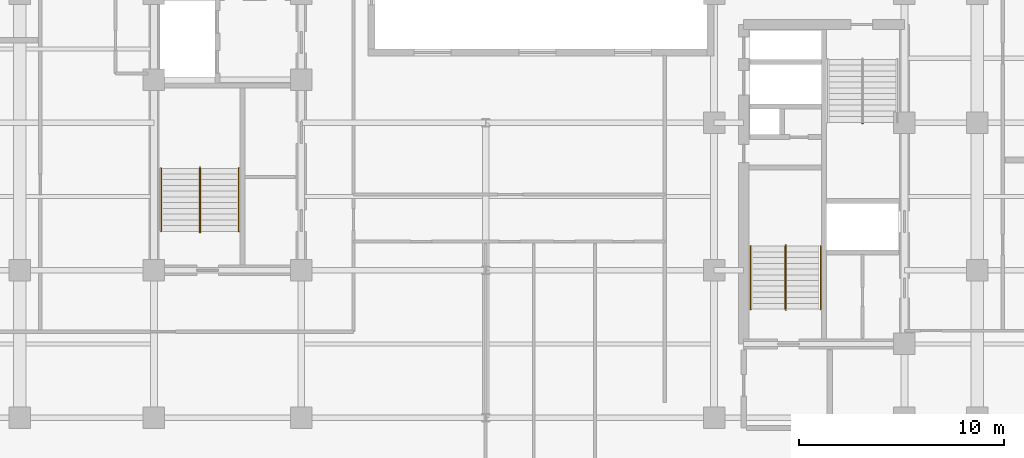
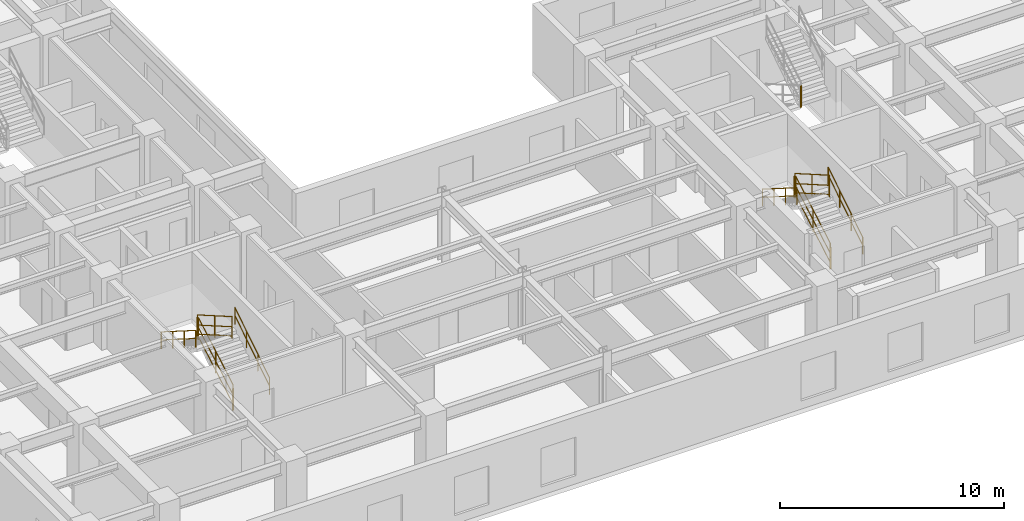
# One storey, part 7 of 9: 13 railings.
"""IFC4 building model written with IfcOpenShell, lengths in metres."""

from ifc_helpers import new_model, entity, si_unit, converted_unit, direction, frame, origin_with_axes, origin_2d_with_axis, place, context, subcontext, project, spatial, rectangle, circle, extrude, material, type_object, element, save


model = new_model("IFC4")

# Units and contexts
model_context = context("Model", 3, precision=1e-05, world=origin_with_axes(), true_north=direction((0.0, 1.0)))
body_context = subcontext(model_context, "Body", "Model", "MODEL_VIEW")
ifc_project = project(units=[si_unit("LENGTHUNIT", "METRE"), si_unit("AREAUNIT", "SQUARE_METRE"), si_unit("VOLUMEUNIT", "CUBIC_METRE"), converted_unit("PLANEANGLEUNIT", "DEGREE", entity("IfcPlaneAngleMeasure", 0.017453292519943295), si_unit("PLANEANGLEUNIT", "RADIAN"), dimensions=[0, 0, 0, 0, 0, 0, 0]), si_unit("MASSUNIT", "GRAM", prefix="KILO"), si_unit("THERMODYNAMICTEMPERATUREUNIT", "KELVIN")], contexts=[model_context])

# Site, building, storey
site_placement = place(None, origin_with_axes())
site = spatial("IfcSite", under=ifc_project, at=site_placement, CompositionType="ELEMENT")
building_placement = place(site_placement, origin_with_axes())
building = spatial("IfcBuilding", under=site, at=building_placement, Name="Varnlund Millrace Tower", CompositionType="ELEMENT")
storey_placement = place(building_placement, frame((0.0, 0.0, 144.6), z_axis=(0.0, 0.0, 1.0), x_axis=(1.0, 0.0, 0.0)))
storey = spatial("IfcBuildingStorey", under=building, at=storey_placement, Name="L35", CompositionType="ELEMENT", Elevation=144.6)

# Railings
ifc_material_1 = material(Name="Painted steel stair well balustrade guard", Category="steel")
railing_type_1 = type_object("IfcRailingType", Name="Type-StairGuard-1150", PredefinedType="GUARDRAIL", material=ifc_material_1)
railing_1_placement = place(storey_placement, frame((0.0, 0.0, -144.6), z_axis=(0.0, 0.0, 1.0), x_axis=(1.0, 0.0, 0.0)))
element("IfcRailing", 1, at=railing_1_placement, inside=storey, type_object=railing_type_1, Name="Type-StairGuard-1150", PredefinedType="GUARDRAIL", context=body_context, shape_type="SweptSolid", body=[
    extrude(circle(Radius=0.024, at=origin_2d_with_axis()), frame((13.675, 12.7, 145.927273), z_axis=(0.0, 0.866696, 0.498836), x_axis=(-1.0, 0.0, 0.0)), (0.0, 0.0, 1.0), 3.553725),
    extrude(circle(Radius=0.024, at=origin_2d_with_axis()), frame((13.675, 12.7, 144.877273), z_axis=(0.0, 0.866696, 0.498836), x_axis=(-1.0, 0.0, 0.0)), (0.0, 0.0, 1.0), 3.553725),
    extrude(circle(Radius=0.024, at=origin_2d_with_axis()), frame((13.675, 12.7, 145.375273), z_axis=(0.0, 0.866696, 0.498836), x_axis=(-1.0, 0.0, 0.0)), (0.0, 0.0, 1.0), 3.553725),
    extrude(rectangle(XDim=0.04, YDim=0.04, at=origin_2d_with_axis()), frame((13.675, 12.7, 144.737273), z_axis=(0.0, 0.0, 1.0), x_axis=(1.0, 0.0, 0.0)), (0.0, 0.0, 1.0), 1.19),
    extrude(rectangle(XDim=0.04, YDim=0.04, at=origin_2d_with_axis()), frame((13.675, 14.24, 145.623636), z_axis=(0.0, 0.0, 1.0), x_axis=(1.0, 0.0, 0.0)), (0.0, 0.0, 1.0), 1.19),
    extrude(rectangle(XDim=0.04, YDim=0.04, at=origin_2d_with_axis()), frame((13.675, 15.78, 146.51), z_axis=(0.0, 0.0, 1.0), x_axis=(1.0, 0.0, 0.0)), (0.0, 0.0, 1.0), 1.19),
])
railing_2_placement = place(storey_placement, frame((0.0, 0.0, -144.6), z_axis=(0.0, 0.0, 1.0), x_axis=(1.0, 0.0, 0.0)))
element("IfcRailing", 2, at=railing_2_placement, inside=storey, type_object=railing_type_1, Name="Type-StairGuard-1150", PredefinedType="GUARDRAIL", context=body_context, shape_type="SweptSolid", body=[
    extrude(circle(Radius=0.024, at=origin_2d_with_axis()), frame((13.625, 15.83, 147.7), z_axis=(1.0, 0.0, 0.0), x_axis=(0.0, 1.0, 0.0)), (0.0, 0.0, 1.0), 0.05),
    extrude(circle(Radius=0.024, at=origin_2d_with_axis()), frame((13.625, 15.83, 146.65), z_axis=(1.0, 0.0, 0.0), x_axis=(0.0, 1.0, 0.0)), (0.0, 0.0, 1.0), 0.05),
    extrude(circle(Radius=0.024, at=origin_2d_with_axis()), frame((13.625, 15.83, 147.148), z_axis=(1.0, 0.0, 0.0), x_axis=(0.0, 1.0, 0.0)), (0.0, 0.0, 1.0), 0.05),
    extrude(rectangle(XDim=0.04, YDim=0.04, at=origin_2d_with_axis()), frame((13.625, 15.83, 146.51), z_axis=(0.0, 0.0, 1.0), x_axis=(1.0, 0.0, 0.0)), (0.0, 0.0, 1.0), 1.19),
    extrude(rectangle(XDim=0.04, YDim=0.04, at=origin_2d_with_axis()), frame((13.675, 15.83, 146.51), z_axis=(0.0, 0.0, 1.0), x_axis=(1.0, 0.0, 0.0)), (0.0, 0.0, 1.0), 1.19),
])
railing_3_placement = place(storey_placement, frame((0.0, 0.0, -144.6), z_axis=(0.0, 0.0, 1.0), x_axis=(1.0, 0.0, 0.0)))
element("IfcRailing", 3, at=railing_3_placement, inside=storey, type_object=railing_type_1, Name="Type-StairGuard-1150", PredefinedType="GUARDRAIL", context=body_context, shape_type="SweptSolid", body=[
    extrude(circle(Radius=0.024, at=origin_2d_with_axis()), frame((13.625, 15.78, 147.877273), z_axis=(0.0, -0.866696, 0.498836), x_axis=(1.0, 0.0, 0.0)), (0.0, 0.0, 1.0), 3.553725),
    extrude(circle(Radius=0.024, at=origin_2d_with_axis()), frame((13.625, 15.78, 146.827273), z_axis=(0.0, -0.866696, 0.498836), x_axis=(1.0, 0.0, 0.0)), (0.0, 0.0, 1.0), 3.553725),
    extrude(circle(Radius=0.024, at=origin_2d_with_axis()), frame((13.625, 15.78, 147.325273), z_axis=(0.0, -0.866696, 0.498836), x_axis=(1.0, 0.0, 0.0)), (0.0, 0.0, 1.0), 3.553725),
    extrude(rectangle(XDim=0.04, YDim=0.04, at=origin_2d_with_axis()), frame((13.625, 15.78, 146.687273), z_axis=(0.0, 0.0, 1.0), x_axis=(1.0, 0.0, 0.0)), (0.0, 0.0, 1.0), 1.19),
    extrude(rectangle(XDim=0.04, YDim=0.04, at=origin_2d_with_axis()), frame((13.625, 14.24, 147.573636), z_axis=(0.0, 0.0, 1.0), x_axis=(1.0, 0.0, 0.0)), (0.0, 0.0, 1.0), 1.19),
    extrude(rectangle(XDim=0.04, YDim=0.04, at=origin_2d_with_axis()), frame((13.625, 12.7, 148.46), z_axis=(0.0, 0.0, 1.0), x_axis=(1.0, 0.0, 0.0)), (0.0, 0.0, 1.0), 1.19),
])
railing_4_placement = place(storey_placement, frame((0.0, 0.0, -144.6), z_axis=(0.0, 0.0, 1.0), x_axis=(1.0, 0.0, 0.0)))
element("IfcRailing", 4, at=railing_4_placement, inside=storey, type_object=railing_type_1, Name="Type-StairGuard-1150", PredefinedType="GUARDRAIL", context=body_context, shape_type="SweptSolid", body=[
    extrude(circle(Radius=0.024, at=origin_2d_with_axis()), frame((13.625, 12.65, 145.75), z_axis=(1.0, 0.0, 0.0), x_axis=(0.0, 1.0, 0.0)), (0.0, 0.0, 1.0), 0.05),
    extrude(circle(Radius=0.024, at=origin_2d_with_axis()), frame((13.625, 12.65, 144.7), z_axis=(1.0, 0.0, 0.0), x_axis=(0.0, 1.0, 0.0)), (0.0, 0.0, 1.0), 0.05),
    extrude(circle(Radius=0.024, at=origin_2d_with_axis()), frame((13.625, 12.65, 145.198), z_axis=(1.0, 0.0, 0.0), x_axis=(0.0, 1.0, 0.0)), (0.0, 0.0, 1.0), 0.05),
    extrude(rectangle(XDim=0.04, YDim=0.04, at=origin_2d_with_axis()), frame((13.625, 12.65, 144.56), z_axis=(0.0, 0.0, 1.0), x_axis=(1.0, 0.0, 0.0)), (0.0, 0.0, 1.0), 1.19),
    extrude(rectangle(XDim=0.04, YDim=0.04, at=origin_2d_with_axis()), frame((13.675, 12.65, 144.56), z_axis=(0.0, 0.0, 1.0), x_axis=(1.0, 0.0, 0.0)), (0.0, 0.0, 1.0), 1.19),
])
railing_5_placement = place(storey_placement, frame((0.0, 0.0, -144.6), z_axis=(0.0, 0.0, 1.0), x_axis=(1.0, 0.0, 0.0)))
element("IfcRailing", 5, at=railing_5_placement, inside=storey, type_object=railing_type_1, Name="Type-StairGuard-1150", PredefinedType="GUARDRAIL", context=body_context, shape_type="SweptSolid", body=[
    extrude(circle(Radius=0.024, at=origin_2d_with_axis()), frame((42.275, 8.9, 145.927273), z_axis=(0.0, 0.866696, 0.498836), x_axis=(-1.0, 0.0, 0.0)), (0.0, 0.0, 1.0), 3.553725),
    extrude(circle(Radius=0.024, at=origin_2d_with_axis()), frame((42.275, 8.9, 144.877273), z_axis=(0.0, 0.866696, 0.498836), x_axis=(-1.0, 0.0, 0.0)), (0.0, 0.0, 1.0), 3.553725),
    extrude(circle(Radius=0.024, at=origin_2d_with_axis()), frame((42.275, 8.9, 145.375273), z_axis=(0.0, 0.866696, 0.498836), x_axis=(-1.0, 0.0, 0.0)), (0.0, 0.0, 1.0), 3.553725),
    extrude(rectangle(XDim=0.04, YDim=0.04, at=origin_2d_with_axis()), frame((42.275, 8.9, 144.737273), z_axis=(0.0, 0.0, 1.0), x_axis=(1.0, 0.0, 0.0)), (0.0, 0.0, 1.0), 1.19),
    extrude(rectangle(XDim=0.04, YDim=0.04, at=origin_2d_with_axis()), frame((42.275, 10.44, 145.623636), z_axis=(0.0, 0.0, 1.0), x_axis=(1.0, 0.0, 0.0)), (0.0, 0.0, 1.0), 1.19),
    extrude(rectangle(XDim=0.04, YDim=0.04, at=origin_2d_with_axis()), frame((42.275, 11.98, 146.51), z_axis=(0.0, 0.0, 1.0), x_axis=(1.0, 0.0, 0.0)), (0.0, 0.0, 1.0), 1.19),
])
railing_6_placement = place(storey_placement, frame((0.0, 0.0, -144.6), z_axis=(0.0, 0.0, 1.0), x_axis=(1.0, 0.0, 0.0)))
element("IfcRailing", 6, at=railing_6_placement, inside=storey, type_object=railing_type_1, Name="Type-StairGuard-1150", PredefinedType="GUARDRAIL", context=body_context, shape_type="SweptSolid", body=[
    extrude(circle(Radius=0.024, at=origin_2d_with_axis()), frame((42.225, 12.03, 147.7), z_axis=(1.0, 0.0, 0.0), x_axis=(0.0, 1.0, 0.0)), (0.0, 0.0, 1.0), 0.05),
    extrude(circle(Radius=0.024, at=origin_2d_with_axis()), frame((42.225, 12.03, 146.65), z_axis=(1.0, 0.0, 0.0), x_axis=(0.0, 1.0, 0.0)), (0.0, 0.0, 1.0), 0.05),
    extrude(circle(Radius=0.024, at=origin_2d_with_axis()), frame((42.225, 12.03, 147.148), z_axis=(1.0, 0.0, 0.0), x_axis=(0.0, 1.0, 0.0)), (0.0, 0.0, 1.0), 0.05),
    extrude(rectangle(XDim=0.04, YDim=0.04, at=origin_2d_with_axis()), frame((42.225, 12.03, 146.51), z_axis=(0.0, 0.0, 1.0), x_axis=(1.0, 0.0, 0.0)), (0.0, 0.0, 1.0), 1.19),
    extrude(rectangle(XDim=0.04, YDim=0.04, at=origin_2d_with_axis()), frame((42.275, 12.03, 146.51), z_axis=(0.0, 0.0, 1.0), x_axis=(1.0, 0.0, 0.0)), (0.0, 0.0, 1.0), 1.19),
])
railing_7_placement = place(storey_placement, frame((0.0, 0.0, -144.6), z_axis=(0.0, 0.0, 1.0), x_axis=(1.0, 0.0, 0.0)))
element("IfcRailing", 7, at=railing_7_placement, inside=storey, type_object=railing_type_1, Name="Type-StairGuard-1150", PredefinedType="GUARDRAIL", context=body_context, shape_type="SweptSolid", body=[
    extrude(circle(Radius=0.024, at=origin_2d_with_axis()), frame((42.225, 11.98, 147.877273), z_axis=(0.0, -0.866696, 0.498836), x_axis=(1.0, 0.0, 0.0)), (0.0, 0.0, 1.0), 3.553725),
    extrude(circle(Radius=0.024, at=origin_2d_with_axis()), frame((42.225, 11.98, 146.827273), z_axis=(0.0, -0.866696, 0.498836), x_axis=(1.0, 0.0, 0.0)), (0.0, 0.0, 1.0), 3.553725),
    extrude(circle(Radius=0.024, at=origin_2d_with_axis()), frame((42.225, 11.98, 147.325273), z_axis=(0.0, -0.866696, 0.498836), x_axis=(1.0, 0.0, 0.0)), (0.0, 0.0, 1.0), 3.553725),
    extrude(rectangle(XDim=0.04, YDim=0.04, at=origin_2d_with_axis()), frame((42.225, 11.98, 146.687273), z_axis=(0.0, 0.0, 1.0), x_axis=(1.0, 0.0, 0.0)), (0.0, 0.0, 1.0), 1.19),
    extrude(rectangle(XDim=0.04, YDim=0.04, at=origin_2d_with_axis()), frame((42.225, 10.44, 147.573636), z_axis=(0.0, 0.0, 1.0), x_axis=(1.0, 0.0, 0.0)), (0.0, 0.0, 1.0), 1.19),
    extrude(rectangle(XDim=0.04, YDim=0.04, at=origin_2d_with_axis()), frame((42.225, 8.9, 148.46), z_axis=(0.0, 0.0, 1.0), x_axis=(1.0, 0.0, 0.0)), (0.0, 0.0, 1.0), 1.19),
])
railing_8_placement = place(storey_placement, frame((0.0, 0.0, -144.6), z_axis=(0.0, 0.0, 1.0), x_axis=(1.0, 0.0, 0.0)))
element("IfcRailing", 8, at=railing_8_placement, inside=storey, type_object=railing_type_1, Name="Type-StairGuard-1150", PredefinedType="GUARDRAIL", context=body_context, shape_type="SweptSolid", body=[
    extrude(circle(Radius=0.024, at=origin_2d_with_axis()), frame((42.225, 8.85, 145.75), z_axis=(1.0, 0.0, 0.0), x_axis=(0.0, 1.0, 0.0)), (0.0, 0.0, 1.0), 0.05),
    extrude(circle(Radius=0.024, at=origin_2d_with_axis()), frame((42.225, 8.85, 144.7), z_axis=(1.0, 0.0, 0.0), x_axis=(0.0, 1.0, 0.0)), (0.0, 0.0, 1.0), 0.05),
    extrude(circle(Radius=0.024, at=origin_2d_with_axis()), frame((42.225, 8.85, 145.198), z_axis=(1.0, 0.0, 0.0), x_axis=(0.0, 1.0, 0.0)), (0.0, 0.0, 1.0), 0.05),
    extrude(rectangle(XDim=0.04, YDim=0.04, at=origin_2d_with_axis()), frame((42.225, 8.85, 144.56), z_axis=(0.0, 0.0, 1.0), x_axis=(1.0, 0.0, 0.0)), (0.0, 0.0, 1.0), 1.19),
    extrude(rectangle(XDim=0.04, YDim=0.04, at=origin_2d_with_axis()), frame((42.275, 8.85, 144.56), z_axis=(0.0, 0.0, 1.0), x_axis=(1.0, 0.0, 0.0)), (0.0, 0.0, 1.0), 1.19),
])
railing_9_placement = place(storey_placement, frame((0.0, 0.0, -144.6), z_axis=(0.0, 0.0, 1.0), x_axis=(1.0, 0.0, 0.0)))
element("IfcRailing", 9, at=railing_9_placement, inside=storey, type_object=railing_type_1, Name="Type-StairGuard-1150", PredefinedType="GUARDRAIL", context=body_context, shape_type="SweptSolid", body=[
    extrude(circle(Radius=0.024, at=origin_2d_with_axis()), frame((46.025, 17.97, 147.7), z_axis=(-1.0, 0.0, 0.0), x_axis=(0.0, -1.0, 0.0)), (0.0, 0.0, 1.0), 0.05),
    extrude(circle(Radius=0.024, at=origin_2d_with_axis()), frame((46.025, 17.97, 146.65), z_axis=(-1.0, 0.0, 0.0), x_axis=(0.0, -1.0, 0.0)), (0.0, 0.0, 1.0), 0.05),
    extrude(circle(Radius=0.024, at=origin_2d_with_axis()), frame((46.025, 17.97, 147.148), z_axis=(-1.0, 0.0, 0.0), x_axis=(0.0, -1.0, 0.0)), (0.0, 0.0, 1.0), 0.05),
    extrude(rectangle(XDim=0.04, YDim=0.04, at=origin_2d_with_axis()), frame((46.025, 17.97, 146.51), z_axis=(0.0, 0.0, 1.0), x_axis=(1.0, 0.0, 0.0)), (0.0, 0.0, 1.0), 1.19),
    extrude(rectangle(XDim=0.04, YDim=0.04, at=origin_2d_with_axis()), frame((45.975, 17.97, 146.51), z_axis=(0.0, 0.0, 1.0), x_axis=(1.0, 0.0, 0.0)), (0.0, 0.0, 1.0), 1.19),
])
ifc_material_2 = material(Name="Brushed architectural bronze stair handrail", Category="aluminium")
railing_type_2 = type_object("IfcRailingType", Name="Type-StairHandrail-900", PredefinedType="HANDRAIL", material=ifc_material_2)
railing_10_placement = place(storey_placement, frame((0.0, 0.0, -144.6), z_axis=(0.0, 0.0, 1.0), x_axis=(1.0, 0.0, 0.0)))
element("IfcRailing", 10, at=railing_10_placement, inside=storey, type_object=railing_type_2, Name="Type-StairHandrail-900", PredefinedType="HANDRAIL", context=body_context, shape_type="SweptSolid", body=[
    extrude(circle(Radius=0.024, at=origin_2d_with_axis()), frame((15.55, 12.7, 145.656995), z_axis=(0.0, 0.844902, 0.534922), x_axis=(-1.0, 0.0, 0.0)), (0.0, 0.0, 1.0), 3.645394),
    extrude(circle(Radius=0.024, at=origin_2d_with_axis()), frame((15.55, 12.7, 145.217134), z_axis=(0.0, 0.844902, 0.534922), x_axis=(-1.0, 0.0, 0.0)), (0.0, 0.0, 1.0), 3.645394),
    extrude(rectangle(XDim=0.04, YDim=0.04, at=origin_2d_with_axis()), frame((15.55, 12.7, 144.737273), z_axis=(0.0, 0.0, 1.0), x_axis=(1.0, 0.0, 0.0)), (0.0, 0.0, 1.0), 0.919722),
    extrude(rectangle(XDim=0.04, YDim=0.04, at=origin_2d_with_axis()), frame((15.55, 13.726667, 145.387273), z_axis=(0.0, 0.0, 1.0), x_axis=(1.0, 0.0, 0.0)), (0.0, 0.0, 1.0), 0.919722),
    extrude(rectangle(XDim=0.04, YDim=0.04, at=origin_2d_with_axis()), frame((15.55, 14.753333, 146.037273), z_axis=(0.0, 0.0, 1.0), x_axis=(1.0, 0.0, 0.0)), (0.0, 0.0, 1.0), 0.919722),
    extrude(rectangle(XDim=0.04, YDim=0.04, at=origin_2d_with_axis()), frame((15.55, 15.78, 146.687273), z_axis=(0.0, 0.0, 1.0), x_axis=(1.0, 0.0, 0.0)), (0.0, 0.0, 1.0), 0.919722),
])
railing_11_placement = place(storey_placement, frame((0.0, 0.0, -144.6), z_axis=(0.0, 0.0, 1.0), x_axis=(1.0, 0.0, 0.0)))
element("IfcRailing", 11, at=railing_11_placement, inside=storey, type_object=railing_type_2, Name="Type-StairHandrail-900", PredefinedType="HANDRAIL", context=body_context, shape_type="SweptSolid", body=[
    extrude(circle(Radius=0.024, at=origin_2d_with_axis()), frame((11.75, 15.78, 147.606995), z_axis=(0.0, -0.844902, 0.534922), x_axis=(1.0, 0.0, 0.0)), (0.0, 0.0, 1.0), 3.645394),
    extrude(circle(Radius=0.024, at=origin_2d_with_axis()), frame((11.75, 15.78, 147.167134), z_axis=(0.0, -0.844902, 0.534922), x_axis=(1.0, 0.0, 0.0)), (0.0, 0.0, 1.0), 3.645394),
    extrude(rectangle(XDim=0.04, YDim=0.04, at=origin_2d_with_axis()), frame((11.75, 15.78, 146.687273), z_axis=(0.0, 0.0, 1.0), x_axis=(1.0, 0.0, 0.0)), (0.0, 0.0, 1.0), 0.919722),
    extrude(rectangle(XDim=0.04, YDim=0.04, at=origin_2d_with_axis()), frame((11.75, 14.753333, 147.337273), z_axis=(0.0, 0.0, 1.0), x_axis=(1.0, 0.0, 0.0)), (0.0, 0.0, 1.0), 0.919722),
    extrude(rectangle(XDim=0.04, YDim=0.04, at=origin_2d_with_axis()), frame((11.75, 13.726667, 147.987273), z_axis=(0.0, 0.0, 1.0), x_axis=(1.0, 0.0, 0.0)), (0.0, 0.0, 1.0), 0.919722),
    extrude(rectangle(XDim=0.04, YDim=0.04, at=origin_2d_with_axis()), frame((11.75, 12.7, 148.637273), z_axis=(0.0, 0.0, 1.0), x_axis=(1.0, 0.0, 0.0)), (0.0, 0.0, 1.0), 0.919722),
])
railing_12_placement = place(storey_placement, frame((0.0, 0.0, -144.6), z_axis=(0.0, 0.0, 1.0), x_axis=(1.0, 0.0, 0.0)))
element("IfcRailing", 12, at=railing_12_placement, inside=storey, type_object=railing_type_2, Name="Type-StairHandrail-900", PredefinedType="HANDRAIL", context=body_context, shape_type="SweptSolid", body=[
    extrude(circle(Radius=0.024, at=origin_2d_with_axis()), frame((43.95, 8.9, 145.656995), z_axis=(0.0, 0.844902, 0.534922), x_axis=(-1.0, 0.0, 0.0)), (0.0, 0.0, 1.0), 3.645394),
    extrude(circle(Radius=0.024, at=origin_2d_with_axis()), frame((43.95, 8.9, 145.217134), z_axis=(0.0, 0.844902, 0.534922), x_axis=(-1.0, 0.0, 0.0)), (0.0, 0.0, 1.0), 3.645394),
    extrude(rectangle(XDim=0.04, YDim=0.04, at=origin_2d_with_axis()), frame((43.95, 8.9, 144.737273), z_axis=(0.0, 0.0, 1.0), x_axis=(1.0, 0.0, 0.0)), (0.0, 0.0, 1.0), 0.919722),
    extrude(rectangle(XDim=0.04, YDim=0.04, at=origin_2d_with_axis()), frame((43.95, 9.926667, 145.387273), z_axis=(0.0, 0.0, 1.0), x_axis=(1.0, 0.0, 0.0)), (0.0, 0.0, 1.0), 0.919722),
    extrude(rectangle(XDim=0.04, YDim=0.04, at=origin_2d_with_axis()), frame((43.95, 10.953333, 146.037273), z_axis=(0.0, 0.0, 1.0), x_axis=(1.0, 0.0, 0.0)), (0.0, 0.0, 1.0), 0.919722),
    extrude(rectangle(XDim=0.04, YDim=0.04, at=origin_2d_with_axis()), frame((43.95, 11.98, 146.687273), z_axis=(0.0, 0.0, 1.0), x_axis=(1.0, 0.0, 0.0)), (0.0, 0.0, 1.0), 0.919722),
])
railing_13_placement = place(storey_placement, frame((0.0, 0.0, -144.6), z_axis=(0.0, 0.0, 1.0), x_axis=(1.0, 0.0, 0.0)))
element("IfcRailing", 13, at=railing_13_placement, inside=storey, type_object=railing_type_2, Name="Type-StairHandrail-900", PredefinedType="HANDRAIL", context=body_context, shape_type="SweptSolid", body=[
    extrude(circle(Radius=0.024, at=origin_2d_with_axis()), frame((40.55, 11.98, 147.606995), z_axis=(0.0, -0.844902, 0.534922), x_axis=(1.0, 0.0, 0.0)), (0.0, 0.0, 1.0), 3.645394),
    extrude(circle(Radius=0.024, at=origin_2d_with_axis()), frame((40.55, 11.98, 147.167134), z_axis=(0.0, -0.844902, 0.534922), x_axis=(1.0, 0.0, 0.0)), (0.0, 0.0, 1.0), 3.645394),
    extrude(rectangle(XDim=0.04, YDim=0.04, at=origin_2d_with_axis()), frame((40.55, 11.98, 146.687273), z_axis=(0.0, 0.0, 1.0), x_axis=(1.0, 0.0, 0.0)), (0.0, 0.0, 1.0), 0.919722),
    extrude(rectangle(XDim=0.04, YDim=0.04, at=origin_2d_with_axis()), frame((40.55, 10.953333, 147.337273), z_axis=(0.0, 0.0, 1.0), x_axis=(1.0, 0.0, 0.0)), (0.0, 0.0, 1.0), 0.919722),
    extrude(rectangle(XDim=0.04, YDim=0.04, at=origin_2d_with_axis()), frame((40.55, 9.926667, 147.987273), z_axis=(0.0, 0.0, 1.0), x_axis=(1.0, 0.0, 0.0)), (0.0, 0.0, 1.0), 0.919722),
    extrude(rectangle(XDim=0.04, YDim=0.04, at=origin_2d_with_axis()), frame((40.55, 8.9, 148.637273), z_axis=(0.0, 0.0, 1.0), x_axis=(1.0, 0.0, 0.0)), (0.0, 0.0, 1.0), 0.919722),
])

save(model, "model.ifc")
